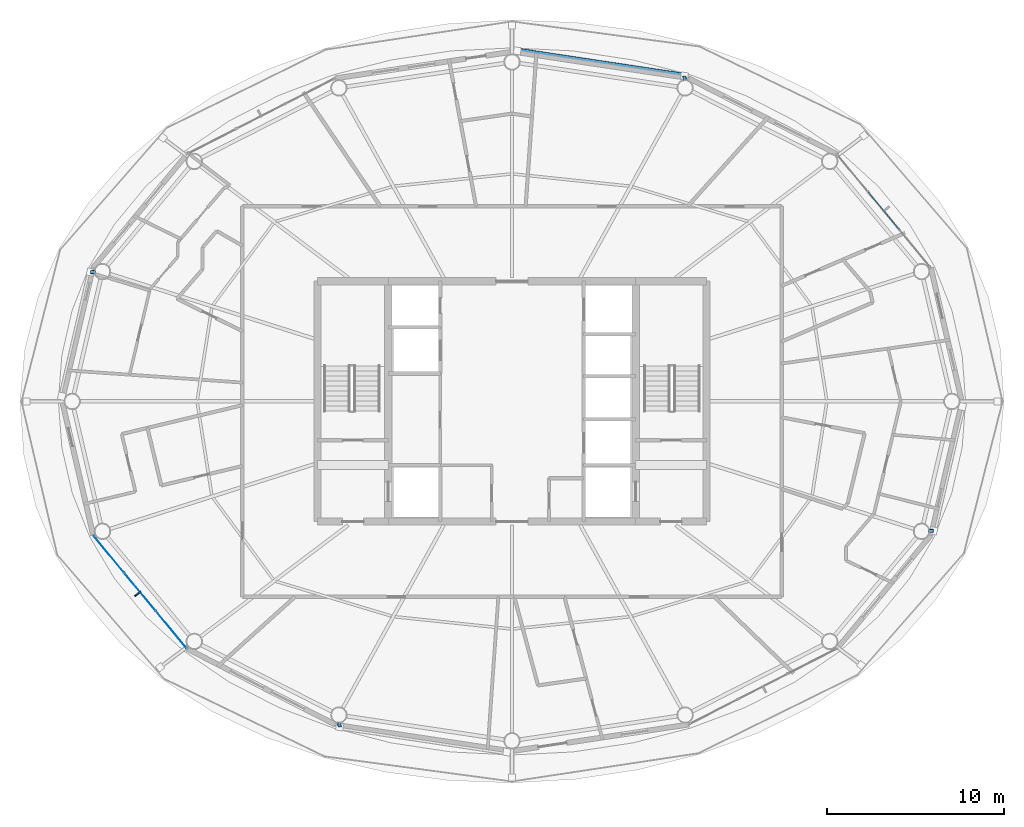
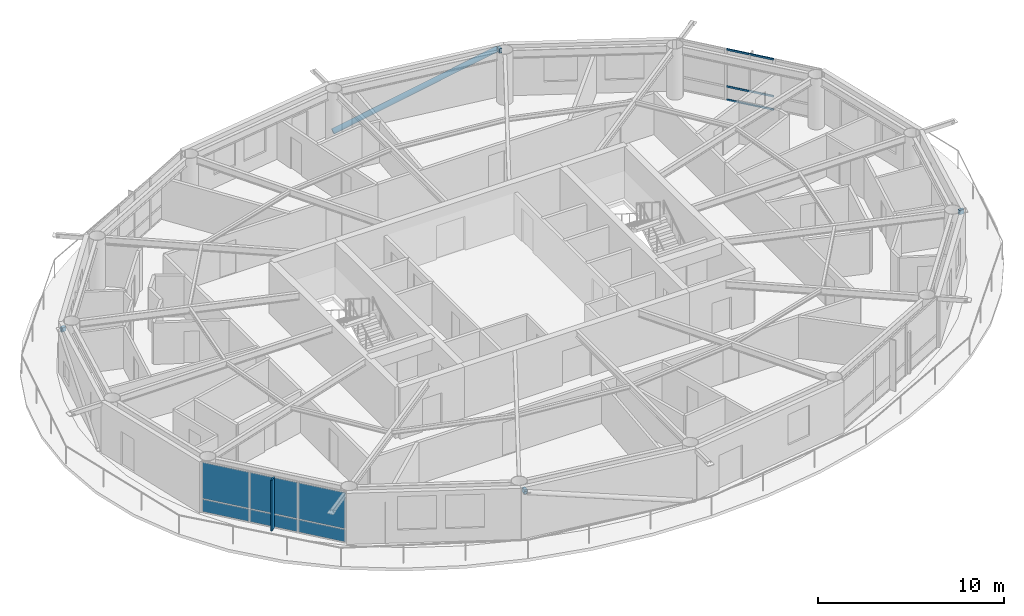
# One storey, part 12 of 22: 8 members, 7 plates, 2 elements without a shape of their own.
"""IFC4 building model written with IfcOpenShell, lengths in metres."""

import ifcopenshell
import ifcopenshell.guid

model = None  # the IFC model being written
_history = None  # IfcOwnerHistory: only IFC2X3 demands one
_inside = {}  # id of a spatial element -> (the spatial element, [elements in it])
_under = {}  # id of a project, library or spatial element -> (it, [spatial elements below it])
_declared = {}  # id of a project -> (the project, [libraries it declares])
_typed = {}  # id of a type object -> (the type object, [elements of that type])
_made_of = {}  # id of a material, layer set ... -> (it, [elements and type objects made of it])


def new_model(schema):
    """Start an empty IFC model of exactly this schema.

    Asked for "IFC4X3", IfcOpenShell would pick the latest addendum, in which some entities
    have other attributes; the version numbers below select the first issue.
    IFC2X3 requires an IfcOwnerHistory on every rooted entity: one is made here for all.
    """
    global model, _history
    if schema == "IFC4X3":
        model = ifcopenshell.file(schema_version=(4, 3, 0, 0))
    else:
        model = ifcopenshell.file(schema=schema)
    _inside.clear()
    _under.clear()
    _declared.clear()
    _typed.clear()
    _made_of.clear()
    _history = None
    if model.schema == "IFC2X3":
        org = make("IfcOrganization", Name="unknown")
        user = make(
            "IfcPersonAndOrganization",
            ThePerson=make("IfcPerson", FamilyName="unknown"),
            TheOrganization=org,
        )
        app = make(
            "IfcApplication",
            ApplicationDeveloper=org,
            Version="unknown",
            ApplicationFullName="unknown",
            ApplicationIdentifier="unknown",
        )
        _history = make(
            "IfcOwnerHistory",
            OwningUser=user,
            OwningApplication=app,
            ChangeAction="ADDED",
            CreationDate=0,
        )
    return model


def make(cls, **values):
    """One entity of the class cls with the attributes given. An attribute that is None is left unset."""
    return model.create_entity(
        cls, **{name: value for name, value in values.items() if value is not None}
    )


def rooted(cls, **values):
    """An entity with a GlobalId (a new one), such as an element, a storey or a relation."""
    return make(cls, GlobalId=ifcopenshell.guid.new(), OwnerHistory=_history, **values)


def si_unit(unit_type, name, prefix=None):
    """IfcSIUnit, for example si_unit("LENGTHUNIT", "METRE", prefix="MILLI")."""
    return make("IfcSIUnit", UnitType=unit_type, Prefix=prefix, Name=name)


def assignment(units):
    """IfcUnitAssignment: the units of a project."""
    return None if units is None else make("IfcUnitAssignment", Units=units)


def point(xyz):
    """IfcCartesianPoint."""
    return None if xyz is None else make("IfcCartesianPoint", Coordinates=xyz)


def direction(xyz):
    """IfcDirection."""
    return None if xyz is None else make("IfcDirection", DirectionRatios=xyz)


def frame(location, z_axis=None, x_axis=None):
    """IfcAxis2Placement3D, a coordinate frame: its origin and axes. An axis left out is left unset."""
    return make(
        "IfcAxis2Placement3D",
        Location=point(location),
        Axis=direction(z_axis),
        RefDirection=direction(x_axis),
    )


def frame_2d(location, x_axis=None):
    """IfcAxis2Placement2D, a coordinate frame in the plane: its origin and x axis."""
    return make(
        "IfcAxis2Placement2D", Location=point(location), RefDirection=direction(x_axis)
    )


def origin():
    """The frame at (0, 0, 0) with its axes left unset."""
    return frame((0.0, 0.0, 0.0))


def origin_2d():
    """The frame at (0, 0) in the plane with its x axis left unset."""
    return frame_2d((0.0, 0.0))


def place(relative_to, where):
    """IfcLocalPlacement: puts the frame where relative to a parent placement (None: the world)."""
    return make(
        "IfcLocalPlacement", PlacementRelTo=relative_to, RelativePlacement=where
    )


def context(
    kind, dimensions, precision=None, world=None, true_north=None, identifier=None
):
    """IfcGeometricRepresentationContext, for example the 3D "Model" context."""
    return make(
        "IfcGeometricRepresentationContext",
        ContextIdentifier=identifier,
        ContextType=kind,
        CoordinateSpaceDimension=dimensions,
        Precision=precision,
        WorldCoordinateSystem=world,
        TrueNorth=true_north,
    )


def subcontext(parent, identifier, kind, view, scale=None):
    """IfcGeometricRepresentationSubContext, for example "Body" below "Model"."""
    return make(
        "IfcGeometricRepresentationSubContext",
        ContextIdentifier=identifier,
        ContextType=kind,
        ParentContext=parent,
        TargetScale=scale,
        TargetView=view,
    )


def project(units=None, contexts=None):
    """IfcProject with its units and contexts."""
    return rooted(
        "IfcProject",
        Name="project",
        RepresentationContexts=contexts,
        UnitsInContext=assignment(units),
    )


def spatial(cls, under=None, at=None, **own):
    """A site, building, storey or space (cls), placed at a placement, below another one or the project."""
    s = rooted(cls, ObjectPlacement=at, **own)
    if under is not None:
        _under.setdefault(under.id(), (under, []))[1].append(s)
    return s


def profile(cls, at=None, kind="AREA", **sizes):
    """A parametric profile (cls). Its sizes go by their IFC names, for example OverallWidth=200.0."""
    return make(cls, ProfileType=kind, Position=at, **sizes)


def rectangle(**sizes):
    """IfcRectangleProfileDef."""
    return profile("IfcRectangleProfileDef", **sizes)


def hollow_rectangle(**sizes):
    """IfcRectangleHollowProfileDef."""
    return profile("IfcRectangleHollowProfileDef", **sizes)


def hollow_circle(**sizes):
    """IfcCircleHollowProfileDef."""
    return profile("IfcCircleHollowProfileDef", **sizes)


def extrude(swept, where, along, depth):
    """IfcExtrudedAreaSolid: the profile swept, set in the frame where, extruded along a direction by depth."""
    return make(
        "IfcExtrudedAreaSolid",
        SweptArea=swept,
        Position=where,
        ExtrudedDirection=direction(along),
        Depth=depth,
    )


def shape(context_of_items, identifier, shape_type, items):
    """IfcShapeRepresentation: the items that make up one representation, for example the "Body"."""
    return make(
        "IfcShapeRepresentation",
        ContextOfItems=context_of_items,
        RepresentationIdentifier=identifier,
        RepresentationType=shape_type,
        Items=items,
    )


def material(Name=None, Category=None):
    """IfcMaterial."""
    return make("IfcMaterial", Name=Name, Category=Category)


def layer(
    of_material, thickness, ventilated=None, Name=None, Category=None, Priority=None
):
    """IfcMaterialLayer: one layer of a wall or slab, of a material (None: an air gap)."""
    return make(
        "IfcMaterialLayer",
        Material=of_material,
        LayerThickness=thickness,
        IsVentilated=ventilated,
        Name=Name,
        Category=Category,
        Priority=Priority,
    )


def layer_set(layers, Name=None):
    """IfcMaterialLayerSet."""
    return make("IfcMaterialLayerSet", MaterialLayers=layers, LayerSetName=Name)


def material_profile(
    of_material, cross_section, Name=None, Category=None, Priority=None
):
    """IfcMaterialProfile: a cross section and its material."""
    return make(
        "IfcMaterialProfile",
        Name=Name,
        Material=of_material,
        Profile=cross_section,
        Priority=Priority,
        Category=Category,
    )


def profile_set(profiles, Name=None, composite=None):
    """IfcMaterialProfileSet."""
    return make(
        "IfcMaterialProfileSet",
        Name=Name,
        MaterialProfiles=profiles,
        CompositeProfile=composite,
    )


def made_of(thing, what):
    """Note that an element or type object is made of a material, layer set ...; save() writes the relation."""
    if what is not None:
        _made_of.setdefault(what.id(), (what, []))[1].append(thing)
    return thing


def type_object(cls, material=None, **own):
    """A type object (cls), such as IfcWallType, which elements share."""
    return made_of(rooted(cls, **own), material)


def element(
    cls,
    number,
    at=None,
    inside=None,
    cuts=None,
    type_object=None,
    material=None,
    context=None,
    identifier="Body",
    shape_type=None,
    held_by="IfcProductDefinitionShape",
    body=None,
    shapes=None,
    **own,
):
    """One element of the class cls, such as IfcWall. Its Tag is "e" and its number.

    at: its placement. inside: the storey or other place that contains it. cuts: it is an
    opening in that element (IfcRelVoidsElement). A single representation is given by context,
    identifier, shape_type and body (its items); several are given by shapes. held_by: the class
    of the entity that holds the representations. save() writes the other relations.
    """
    e = rooted(cls, Tag="e%d" % number, ObjectPlacement=at, **own)
    if body is not None:
        shapes = [shape(context, identifier, shape_type, body)]
    if shapes is not None:
        e.Representation = make(held_by, Representations=shapes)
    if inside is not None:
        _inside.setdefault(inside.id(), (inside, []))[1].append(e)
    if cuts is not None:
        rooted(
            "IfcRelVoidsElement", RelatingBuildingElement=cuts, RelatedOpeningElement=e
        )
    if type_object is not None:
        _typed.setdefault(type_object.id(), (type_object, []))[1].append(e)
    return made_of(e, material)


def aggregate(whole, parts):
    """IfcRelAggregates: a whole, such as a stair, and the parts it consists of."""
    return rooted("IfcRelAggregates", RelatingObject=whole, RelatedObjects=parts)


def save(model, path):
    """Write the relations noted so far, then the file.

    IfcRelAggregates (storeys below a building ...), IfcRelContainedInSpatialStructure (elements
    in a storey), IfcRelDefinesByType, IfcRelAssociatesMaterial and IfcRelDeclares: one each for
    every whole, place, type object, material and project.
    """
    for whole, parts in _under.values():
        aggregate(whole, parts)
    for where, things in _inside.values():
        rooted(
            "IfcRelContainedInSpatialStructure",
            RelatedElements=things,
            RelatingStructure=where,
        )
    for kind, things in _typed.values():
        rooted("IfcRelDefinesByType", RelatedObjects=things, RelatingType=kind)
    for what, things in _made_of.values():
        rooted("IfcRelAssociatesMaterial", RelatedObjects=things, RelatingMaterial=what)
    for by, libraries in _declared.values():
        rooted("IfcRelDeclares", RelatingContext=by, RelatedDefinitions=libraries)
    model.write(path)


model = new_model("IFC4")

# Units and contexts
model_context = context("Model", 3, precision=1e-05, world=origin(), true_north=direction((0.0, 1.0)))
body_context = subcontext(model_context, "Body", "Model", "MODEL_VIEW")
ifc_project = project(units=[si_unit("LENGTHUNIT", "METRE"), si_unit("AREAUNIT", "SQUARE_METRE"), si_unit("VOLUMEUNIT", "CUBIC_METRE"), si_unit("PLANEANGLEUNIT", "RADIAN"), si_unit("MASSUNIT", "GRAM", prefix="KILO")], contexts=[model_context])

# Site, building, storey
site_placement = place(None, origin())
site = spatial("IfcSite", under=ifc_project, at=site_placement, CompositionType="ELEMENT")
building_placement = place(site_placement, origin())
building = spatial("IfcBuilding", under=site, at=building_placement, Name="Sarneth Arch Tower", CompositionType="ELEMENT")
storey_placement = place(building_placement, frame((0.0, 0.0, 210.0)))
storey = spatial("IfcBuildingStorey", under=building, at=storey_placement, Name="L53", CompositionType="ELEMENT", Elevation=210.0)

# Curtain wall, members
ifc_material_1 = material(Name="Anodised aluminium Type AA25 and solar-control low-e laminated IGU", Category="aluminium")
ifc_layer_1 = layer(ifc_material_1, 0.179931640625)
ifc_layer_set_1 = layer_set([ifc_layer_1], Name="Anodised aluminium Type AA25 and solar-control low-e laminated IGU")
curtain_wall_type = type_object("IfcCurtainWallType", Name="CW-RES-HIGH", PredefinedType="NOTDEFINED", material=ifc_layer_set_1)
curtain_wall_1_placement = place(storey_placement, origin())
curtain_wall_1 = element("IfcCurtainWall", 1, at=curtain_wall_1_placement, inside=storey, type_object=curtain_wall_type, Name="L53 Unitised curtain wall facet 02", PredefinedType="NOTDEFINED")
ifc_material_2 = material(Name="Anodised Aluminium 6063-T6", Category="aluminium")
ifc_material_profile_1 = material_profile(ifc_material_2, hollow_rectangle(XDim=0.06005859375, YDim=0.1201171875, WallThickness=0.00390625, at=origin_2d()), Name="AL-TRAN-120x60x4")
ifc_profile_set_1 = profile_set([ifc_material_profile_1], Name="Anodised Aluminium 6063-T6")
member_type_1 = type_object("IfcMemberType", Name="CW-TRANSOM", PredefinedType="USERDEFINED", material=ifc_profile_set_1)
member_1_placement = place(storey_placement, frame((69.904296875, 51.731689453125, 0.030029296875), z_axis=(-0.637617371902, 0.770353222261, 0.0), x_axis=(-0.770353222261, -0.637617371902, 0.0)))
member_1 = element("IfcMember", 2, at=member_1_placement, type_object=member_type_1, Name="CW-SYS-6 transom 2.1", ObjectType="TRANSOM", PredefinedType="USERDEFINED", context=body_context, shape_type="SweptSolid", body=[
    extrude(hollow_rectangle(XDim=0.06005859375, YDim=0.1201171875, WallThickness=0.00390625, at=origin_2d()), origin(), (0.0, 0.0, 1.0), 2.716552734375),
])
member_2_placement = place(storey_placement, frame((69.904296875, 51.731689453125, 0.89990234375), z_axis=(-0.637617371902, 0.770353222261, 0.0), x_axis=(-0.770353222261, -0.637617371902, 0.0)))
member_2 = element("IfcMember", 3, at=member_2_placement, type_object=member_type_1, Name="CW-SYS-6 transom 2.2", ObjectType="TRANSOM", PredefinedType="USERDEFINED", context=body_context, shape_type="SweptSolid", body=[
    extrude(hollow_rectangle(XDim=0.06005859375, YDim=0.1201171875, WallThickness=0.00390625, at=origin_2d()), origin(), (0.0, 0.0, 1.0), 2.716552734375),
])
member_3_placement = place(storey_placement, frame((69.904296875, 51.731689453125, 3.330078125), z_axis=(-0.637617371902, 0.770353222261, 0.0), x_axis=(-0.770353222261, -0.637617371902, 0.0)))
member_3 = element("IfcMember", 4, at=member_3_placement, type_object=member_type_1, Name="CW-SYS-6 transom 2.3", ObjectType="TRANSOM", PredefinedType="USERDEFINED", context=body_context, shape_type="SweptSolid", body=[
    extrude(hollow_rectangle(XDim=0.06005859375, YDim=0.1201171875, WallThickness=0.00390625, at=origin_2d()), origin(), (0.0, 0.0, 1.0), 2.716552734375),
])
aggregate(curtain_wall_1, [member_1, member_2, member_3])

# Members
ifc_material_3 = material(Name="Steel S355", Category="steel")
ifc_material_profile_2 = material_profile(ifc_material_3, hollow_rectangle(XDim=0.199951171875, YDim=0.300048828125, WallThickness=0.012451171875, InnerFilletRadius=0.018798828125, OuterFilletRadius=0.03125, at=origin_2d()), Name="RHS300x200x12.5")
ifc_profile_set_2 = profile_set([ifc_material_profile_2], Name="Steel S355")
member_type_2 = type_object("IfcMemberType", Name="MEM-CANT-STRUT", PredefinedType="STRUT", material=ifc_profile_set_2)
member_4_placement = place(storey_placement, frame((57.768798828125, 60.142822265625, 3.03662109375), z_axis=(-0.05446449316, 0.998515707931, 0.0), x_axis=(-0.998515707931, -0.05446449316, 0.0)))
element("IfcMember", 5, at=member_4_placement, inside=storey, type_object=member_type_2, Name="L53 Exoskeleton brace node strut 04B", PredefinedType="STRUT", context=body_context, shape_type="SweptSolid", body=[
    extrude(hollow_rectangle(XDim=0.199951171875, YDim=0.300048828125, WallThickness=0.012451171875, InnerFilletRadius=0.018798828125, OuterFilletRadius=0.03125, at=origin_2d()), origin(), (0.0, 0.0, 1.0), 0.26904296875),
])
member_5_placement = place(storey_placement, frame((24.426513671875, 49.32861328125, 3.03662109375), z_axis=(-0.998880000755, -0.047315368457, 0.0), x_axis=(0.047315368457, -0.998880000755, 0.0)))
element("IfcMember", 6, at=member_5_placement, inside=storey, type_object=member_type_2, Name="L53 Exoskeleton brace node strut 08B", PredefinedType="STRUT", context=body_context, shape_type="SweptSolid", body=[
    extrude(hollow_rectangle(XDim=0.199951171875, YDim=0.300048828125, WallThickness=0.012451171875, InnerFilletRadius=0.018798828125, OuterFilletRadius=0.03125, at=origin_2d()), origin(), (0.0, 0.0, 1.0), 0.278564453125),
])
member_6_placement = place(storey_placement, frame((38.231201171875, 23.857177734375, 3.03662109375), z_axis=(0.05446449316, -0.998515707931, 0.0), x_axis=(0.998515707931, 0.05446449316, 0.0)))
element("IfcMember", 7, at=member_6_placement, inside=storey, type_object=member_type_2, Name="L53 Exoskeleton brace node strut 12B", PredefinedType="STRUT", context=body_context, shape_type="SweptSolid", body=[
    extrude(hollow_rectangle(XDim=0.199951171875, YDim=0.300048828125, WallThickness=0.012451171875, InnerFilletRadius=0.018798828125, OuterFilletRadius=0.03125, at=origin_2d()), origin(), (0.0, 0.0, 1.0), 0.26904296875),
])
member_7_placement = place(storey_placement, frame((71.573486328125, 34.67138671875, 3.03662109375), z_axis=(0.998880000755, 0.047315368457, 0.0), x_axis=(-0.047315368457, 0.998880000755, 0.0)))
element("IfcMember", 8, at=member_7_placement, inside=storey, type_object=member_type_2, Name="L53 Exoskeleton brace node strut 16B", PredefinedType="STRUT", context=body_context, shape_type="SweptSolid", body=[
    extrude(hollow_rectangle(XDim=0.199951171875, YDim=0.300048828125, WallThickness=0.012451171875, InnerFilletRadius=0.018798828125, OuterFilletRadius=0.03125, at=origin_2d()), origin(), (0.0, 0.0, 1.0), 0.278564453125),
])
ifc_material_4 = material(Name="Steel S355", Category="steel")
ifc_material_profile_3 = material_profile(ifc_material_4, hollow_circle(Radius=0.162109375, WallThickness=0.012451171875, at=origin_2d()), Name="CHS324x12.5")
ifc_profile_set_3 = profile_set([ifc_material_profile_3], Name="Steel S355")
member_type_3 = type_object("IfcMemberType", Name="MEM-DIAG-BR3", PredefinedType="BRACE", material=ifc_profile_set_3)
member_8_placement = place(storey_placement, frame((48.296630859375, 61.83544921875, 0.02001953125), z_axis=(0.943056107878, -0.142001297879, 0.300800280576), x_axis=(0.148897148305, 0.988852688335, 0.0)))
element("IfcMember", 9, at=member_8_placement, inside=storey, type_object=member_type_3, Name="L53 Perimeter frame diagonal 04", PredefinedType="BRACE", context=body_context, shape_type="SweptSolid", body=[
    extrude(hollow_circle(Radius=0.162109375, WallThickness=0.012451171875, at=origin_2d()), origin(), (0.0, 0.0, 1.0), 10.028564453125),
])

# Curtain wall, plates
curtain_wall_2_placement = place(storey_placement, origin())
curtain_wall_2 = element("IfcCurtainWall", 10, at=curtain_wall_2_placement, inside=storey, type_object=curtain_wall_type, Name="L53 Unitised curtain wall facet 10", PredefinedType="NOTDEFINED")
ifc_material_5 = material(Name="Solar-control low-e laminated IGU", Category="glass")
ifc_layer_2 = layer(ifc_material_5, 0.028076171875)
ifc_layer_set_2 = layer_set([ifc_layer_2], Name="Solar-control low-e laminated IGU")
plate_type_1 = type_object("IfcPlateType", Name="CW-PANEL", PredefinedType="CURTAIN_PANEL", material=ifc_layer_set_2)
plate_1_placement = place(storey_placement, frame((25.200927734375, 33.349365234375, 0.06005859375), z_axis=(0.0, 0.0, 1.0), x_axis=(0.637610094184, -0.770359245933, 0.0)))
plate_1 = element("IfcPlate", 11, at=plate_1_placement, type_object=plate_type_1, Name="Curtain wall glazed vision pane CW-L53-F10/P00-00", PredefinedType="CURTAIN_PANEL", context=body_context, shape_type="SweptSolid", body=[
    extrude(rectangle(XDim=2.686767578125, YDim=0.028076171875, at=origin_2d()), origin(), (0.0, 0.0, 1.0), 0.81005859375),
])
plate_2_placement = place(storey_placement, frame((25.200927734375, 33.349365234375, 0.929931640625), z_axis=(0.0, 0.0, 1.0), x_axis=(0.637610094184, -0.770359245933, 0.0)))
plate_2 = element("IfcPlate", 12, at=plate_2_placement, type_object=plate_type_1, Name="Curtain wall glazed vision pane CW-L53-F10/P00-01", PredefinedType="CURTAIN_PANEL", context=body_context, shape_type="SweptSolid", body=[
    extrude(rectangle(XDim=2.686767578125, YDim=0.028076171875, at=origin_2d()), origin(), (0.0, 0.0, 1.0), 2.3701171875),
])
plate_3_placement = place(storey_placement, frame((26.9619140625, 31.221923828125, 0.06005859375), z_axis=(0.0, 0.0, 1.0), x_axis=(0.637610094184, -0.770359245933, 0.0)))
plate_3 = element("IfcPlate", 13, at=plate_3_placement, type_object=plate_type_1, Name="Curtain wall glazed vision pane CW-L53-F10/P01-00", PredefinedType="CURTAIN_PANEL", context=body_context, shape_type="SweptSolid", body=[
    extrude(rectangle(XDim=2.716552734375, YDim=0.028076171875, at=origin_2d()), origin(), (0.0, 0.0, 1.0), 0.81005859375),
])
plate_4_placement = place(storey_placement, frame((26.9619140625, 31.221923828125, 0.929931640625), z_axis=(0.0, 0.0, 1.0), x_axis=(0.637610094184, -0.770359245933, 0.0)))
plate_4 = element("IfcPlate", 14, at=plate_4_placement, type_object=plate_type_1, Name="Curtain wall glazed vision pane CW-L53-F10/P01-01", PredefinedType="CURTAIN_PANEL", context=body_context, shape_type="SweptSolid", body=[
    extrude(rectangle(XDim=2.716552734375, YDim=0.028076171875, at=origin_2d()), origin(), (0.0, 0.0, 1.0), 2.3701171875),
])
plate_5_placement = place(storey_placement, frame((28.72265625, 29.094482421875, 0.06005859375), z_axis=(0.0, 0.0, 1.0), x_axis=(0.637610094184, -0.770359245933, 0.0)))
plate_5 = element("IfcPlate", 15, at=plate_5_placement, type_object=plate_type_1, Name="Curtain wall glazed vision pane CW-L53-F10/P02-00", PredefinedType="CURTAIN_PANEL", context=body_context, shape_type="SweptSolid", body=[
    extrude(rectangle(XDim=2.686767578125, YDim=0.028076171875, at=origin_2d()), origin(), (0.0, 0.0, 1.0), 0.81005859375),
])
plate_6_placement = place(storey_placement, frame((28.72265625, 29.094482421875, 0.929931640625), z_axis=(0.0, 0.0, 1.0), x_axis=(0.637610094184, -0.770359245933, 0.0)))
plate_6 = element("IfcPlate", 16, at=plate_6_placement, type_object=plate_type_1, Name="Curtain wall glazed vision pane CW-L53-F10/P02-01", PredefinedType="CURTAIN_PANEL", context=body_context, shape_type="SweptSolid", body=[
    extrude(rectangle(XDim=2.686767578125, YDim=0.028076171875, at=origin_2d()), origin(), (0.0, 0.0, 1.0), 2.3701171875),
])
aggregate(curtain_wall_2, [plate_1, plate_2, plate_3, plate_4, plate_5, plate_6])

# Plate
ifc_material_6 = material(Name="Extruded glazed terracotta baguette fin on Aluminium 6063-T6 carrier", Category="masonry")
ifc_layer_3 = layer(ifc_material_6, 0.080078125)
ifc_layer_set_3 = layer_set([ifc_layer_3], Name="Extruded glazed terracotta baguette fin on Aluminium 6063-T6 carrier")
plate_type_2 = type_object("IfcPlateType", Name="SHADE-TERRA-FIN", PredefinedType="SHEET", material=ifc_layer_set_3)
plate_7_placement = place(storey_placement, frame((26.830810546875, 31.113525390625, 0.009765625), z_axis=(0.0, 0.0, 1.0), x_axis=(-0.770401979567, -0.63755845997, 0.0)))
element("IfcPlate", 17, at=plate_7_placement, inside=storey, type_object=plate_type_2, Name="L53 Terracotta vertical shading fin 10", PredefinedType="SHEET", context=body_context, shape_type="SweptSolid", body=[
    extrude(rectangle(XDim=0.419921875, YDim=0.080078125, at=origin_2d()), origin(), (0.0, 0.0, 1.0), 3.340087890625),
])

save(model, "model.ifc")
